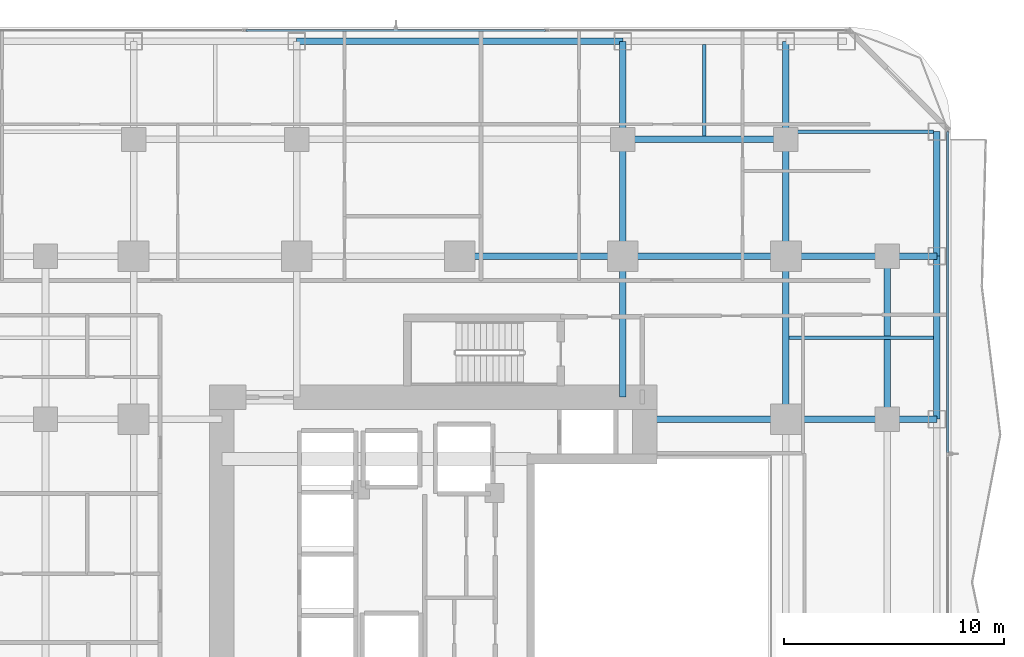
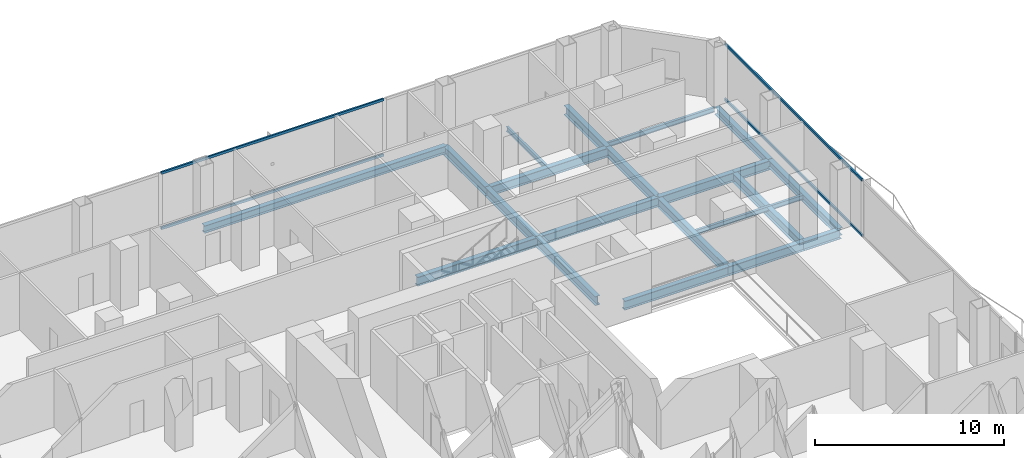
# One storey, part 16 of 30: 21 beams, 4 members, 2 elements without a shape of their own.
"""IFC4 building model written with IfcOpenShell, lengths in metres."""

import ifcopenshell
import ifcopenshell.guid

model = None  # the IFC model being written
_history = None  # IfcOwnerHistory: only IFC2X3 demands one
_inside = {}  # id of a spatial element -> (the spatial element, [elements in it])
_under = {}  # id of a project, library or spatial element -> (it, [spatial elements below it])
_declared = {}  # id of a project -> (the project, [libraries it declares])
_typed = {}  # id of a type object -> (the type object, [elements of that type])
_made_of = {}  # id of a material, layer set ... -> (it, [elements and type objects made of it])


def new_model(schema):
    """Start an empty IFC model of exactly this schema.

    Asked for "IFC4X3", IfcOpenShell would pick the latest addendum, in which some entities
    have other attributes; the version numbers below select the first issue.
    IFC2X3 requires an IfcOwnerHistory on every rooted entity: one is made here for all.
    """
    global model, _history
    if schema == "IFC4X3":
        model = ifcopenshell.file(schema_version=(4, 3, 0, 0))
    else:
        model = ifcopenshell.file(schema=schema)
    _inside.clear()
    _under.clear()
    _declared.clear()
    _typed.clear()
    _made_of.clear()
    _history = None
    if model.schema == "IFC2X3":
        org = make("IfcOrganization", Name="unknown")
        user = make(
            "IfcPersonAndOrganization",
            ThePerson=make("IfcPerson", FamilyName="unknown"),
            TheOrganization=org,
        )
        app = make(
            "IfcApplication",
            ApplicationDeveloper=org,
            Version="unknown",
            ApplicationFullName="unknown",
            ApplicationIdentifier="unknown",
        )
        _history = make(
            "IfcOwnerHistory",
            OwningUser=user,
            OwningApplication=app,
            ChangeAction="ADDED",
            CreationDate=0,
        )
    return model


def make(cls, **values):
    """One entity of the class cls with the attributes given. An attribute that is None is left unset."""
    return model.create_entity(
        cls, **{name: value for name, value in values.items() if value is not None}
    )


def rooted(cls, **values):
    """An entity with a GlobalId (a new one), such as an element, a storey or a relation."""
    return make(cls, GlobalId=ifcopenshell.guid.new(), OwnerHistory=_history, **values)


def si_unit(unit_type, name, prefix=None):
    """IfcSIUnit, for example si_unit("LENGTHUNIT", "METRE", prefix="MILLI")."""
    return make("IfcSIUnit", UnitType=unit_type, Prefix=prefix, Name=name)


def assignment(units):
    """IfcUnitAssignment: the units of a project."""
    return None if units is None else make("IfcUnitAssignment", Units=units)


def point(xyz):
    """IfcCartesianPoint."""
    return None if xyz is None else make("IfcCartesianPoint", Coordinates=xyz)


def direction(xyz):
    """IfcDirection."""
    return None if xyz is None else make("IfcDirection", DirectionRatios=xyz)


def frame(location, z_axis=None, x_axis=None):
    """IfcAxis2Placement3D, a coordinate frame: its origin and axes. An axis left out is left unset."""
    return make(
        "IfcAxis2Placement3D",
        Location=point(location),
        Axis=direction(z_axis),
        RefDirection=direction(x_axis),
    )


def frame_2d(location, x_axis=None):
    """IfcAxis2Placement2D, a coordinate frame in the plane: its origin and x axis."""
    return make(
        "IfcAxis2Placement2D", Location=point(location), RefDirection=direction(x_axis)
    )


def origin():
    """The frame at (0, 0, 0) with its axes left unset."""
    return frame((0.0, 0.0, 0.0))


def origin_2d():
    """The frame at (0, 0) in the plane with its x axis left unset."""
    return frame_2d((0.0, 0.0))


def place(relative_to, where):
    """IfcLocalPlacement: puts the frame where relative to a parent placement (None: the world)."""
    return make(
        "IfcLocalPlacement", PlacementRelTo=relative_to, RelativePlacement=where
    )


def context(
    kind, dimensions, precision=None, world=None, true_north=None, identifier=None
):
    """IfcGeometricRepresentationContext, for example the 3D "Model" context."""
    return make(
        "IfcGeometricRepresentationContext",
        ContextIdentifier=identifier,
        ContextType=kind,
        CoordinateSpaceDimension=dimensions,
        Precision=precision,
        WorldCoordinateSystem=world,
        TrueNorth=true_north,
    )


def subcontext(parent, identifier, kind, view, scale=None):
    """IfcGeometricRepresentationSubContext, for example "Body" below "Model"."""
    return make(
        "IfcGeometricRepresentationSubContext",
        ContextIdentifier=identifier,
        ContextType=kind,
        ParentContext=parent,
        TargetScale=scale,
        TargetView=view,
    )


def project(units=None, contexts=None):
    """IfcProject with its units and contexts."""
    return rooted(
        "IfcProject",
        Name="project",
        RepresentationContexts=contexts,
        UnitsInContext=assignment(units),
    )


def spatial(cls, under=None, at=None, **own):
    """A site, building, storey or space (cls), placed at a placement, below another one or the project."""
    s = rooted(cls, ObjectPlacement=at, **own)
    if under is not None:
        _under.setdefault(under.id(), (under, []))[1].append(s)
    return s


def profile(cls, at=None, kind="AREA", **sizes):
    """A parametric profile (cls). Its sizes go by their IFC names, for example OverallWidth=200.0."""
    return make(cls, ProfileType=kind, Position=at, **sizes)


def hollow_rectangle(**sizes):
    """IfcRectangleHollowProfileDef."""
    return profile("IfcRectangleHollowProfileDef", **sizes)


def i_section(**sizes):
    """IfcIShapeProfileDef."""
    return profile("IfcIShapeProfileDef", **sizes)


def extrude(swept, where, along, depth):
    """IfcExtrudedAreaSolid: the profile swept, set in the frame where, extruded along a direction by depth."""
    return make(
        "IfcExtrudedAreaSolid",
        SweptArea=swept,
        Position=where,
        ExtrudedDirection=direction(along),
        Depth=depth,
    )


def shape(context_of_items, identifier, shape_type, items):
    """IfcShapeRepresentation: the items that make up one representation, for example the "Body"."""
    return make(
        "IfcShapeRepresentation",
        ContextOfItems=context_of_items,
        RepresentationIdentifier=identifier,
        RepresentationType=shape_type,
        Items=items,
    )


def material(Name=None, Category=None):
    """IfcMaterial."""
    return make("IfcMaterial", Name=Name, Category=Category)


def layer(
    of_material, thickness, ventilated=None, Name=None, Category=None, Priority=None
):
    """IfcMaterialLayer: one layer of a wall or slab, of a material (None: an air gap)."""
    return make(
        "IfcMaterialLayer",
        Material=of_material,
        LayerThickness=thickness,
        IsVentilated=ventilated,
        Name=Name,
        Category=Category,
        Priority=Priority,
    )


def layer_set(layers, Name=None):
    """IfcMaterialLayerSet."""
    return make("IfcMaterialLayerSet", MaterialLayers=layers, LayerSetName=Name)


def material_profile(
    of_material, cross_section, Name=None, Category=None, Priority=None
):
    """IfcMaterialProfile: a cross section and its material."""
    return make(
        "IfcMaterialProfile",
        Name=Name,
        Material=of_material,
        Profile=cross_section,
        Priority=Priority,
        Category=Category,
    )


def profile_set(profiles, Name=None, composite=None):
    """IfcMaterialProfileSet."""
    return make(
        "IfcMaterialProfileSet",
        Name=Name,
        MaterialProfiles=profiles,
        CompositeProfile=composite,
    )


def made_of(thing, what):
    """Note that an element or type object is made of a material, layer set ...; save() writes the relation."""
    if what is not None:
        _made_of.setdefault(what.id(), (what, []))[1].append(thing)
    return thing


def type_object(cls, material=None, **own):
    """A type object (cls), such as IfcWallType, which elements share."""
    return made_of(rooted(cls, **own), material)


def element(
    cls,
    number,
    at=None,
    inside=None,
    cuts=None,
    type_object=None,
    material=None,
    context=None,
    identifier="Body",
    shape_type=None,
    held_by="IfcProductDefinitionShape",
    body=None,
    shapes=None,
    **own,
):
    """One element of the class cls, such as IfcWall. Its Tag is "e" and its number.

    at: its placement. inside: the storey or other place that contains it. cuts: it is an
    opening in that element (IfcRelVoidsElement). A single representation is given by context,
    identifier, shape_type and body (its items); several are given by shapes. held_by: the class
    of the entity that holds the representations. save() writes the other relations.
    """
    e = rooted(cls, Tag="e%d" % number, ObjectPlacement=at, **own)
    if body is not None:
        shapes = [shape(context, identifier, shape_type, body)]
    if shapes is not None:
        e.Representation = make(held_by, Representations=shapes)
    if inside is not None:
        _inside.setdefault(inside.id(), (inside, []))[1].append(e)
    if cuts is not None:
        rooted(
            "IfcRelVoidsElement", RelatingBuildingElement=cuts, RelatedOpeningElement=e
        )
    if type_object is not None:
        _typed.setdefault(type_object.id(), (type_object, []))[1].append(e)
    return made_of(e, material)


def aggregate(whole, parts):
    """IfcRelAggregates: a whole, such as a stair, and the parts it consists of."""
    return rooted("IfcRelAggregates", RelatingObject=whole, RelatedObjects=parts)


def save(model, path):
    """Write the relations noted so far, then the file.

    IfcRelAggregates (storeys below a building ...), IfcRelContainedInSpatialStructure (elements
    in a storey), IfcRelDefinesByType, IfcRelAssociatesMaterial and IfcRelDeclares: one each for
    every whole, place, type object, material and project.
    """
    for whole, parts in _under.values():
        aggregate(whole, parts)
    for where, things in _inside.values():
        rooted(
            "IfcRelContainedInSpatialStructure",
            RelatedElements=things,
            RelatingStructure=where,
        )
    for kind, things in _typed.values():
        rooted("IfcRelDefinesByType", RelatedObjects=things, RelatingType=kind)
    for what, things in _made_of.values():
        rooted("IfcRelAssociatesMaterial", RelatedObjects=things, RelatingMaterial=what)
    for by, libraries in _declared.values():
        rooted("IfcRelDeclares", RelatingContext=by, RelatedDefinitions=libraries)
    model.write(path)


model = new_model("IFC4")

# Units and contexts
model_context = context("Model", 3, precision=1e-05, world=origin(), true_north=direction((0.0, 1.0)))
body_context = subcontext(model_context, "Body", "Model", "MODEL_VIEW")
ifc_project = project(units=[si_unit("LENGTHUNIT", "METRE"), si_unit("AREAUNIT", "SQUARE_METRE"), si_unit("VOLUMEUNIT", "CUBIC_METRE"), si_unit("PLANEANGLEUNIT", "RADIAN"), si_unit("MASSUNIT", "GRAM", prefix="KILO")], contexts=[model_context])

# Site, building, storey
site_placement = place(None, origin())
site = spatial("IfcSite", under=ifc_project, at=site_placement, CompositionType="ELEMENT")
building_placement = place(site_placement, origin())
building = spatial("IfcBuilding", under=site, at=building_placement, Name="Khorvyn Point Tower", CompositionType="ELEMENT")
storey_placement = place(building_placement, frame((0.0, 0.0, 57.89990234375)))
storey = spatial("IfcBuildingStorey", under=building, at=storey_placement, Name="L15", CompositionType="ELEMENT", Elevation=57.89990234375)

# Curtain wall, members
ifc_material_1 = material(Name="Anodised aluminium 6063-T6 and laminated Low-E glass", Category="aluminium")
ifc_layer = layer(ifc_material_1, 0.18994140625)
ifc_layer_set = layer_set([ifc_layer], Name="Stick-Built Finned Residential Curtain Wall CW-SYS-02")
curtain_wall_type = type_object("IfcCurtainWallType", Name="Stick-Built Finned Residential Curtain Wall CW-SYS-02", PredefinedType="NOTDEFINED", material=ifc_layer_set)
curtain_wall_1_placement = place(storey_placement, origin())
curtain_wall_1 = element("IfcCurtainWall", 1, at=curtain_wall_1_placement, inside=storey, type_object=curtain_wall_type, Name="Curtain Wall", PredefinedType="NOTDEFINED")
ifc_material_2 = material(Name="Anodised aluminium 6063-T6", Category="aluminium")
ifc_material_profile_1 = material_profile(ifc_material_2, hollow_rectangle(XDim=0.10009765625, YDim=0.159912109375, WallThickness=0.00439453125, at=origin_2d()))
ifc_profile_set_1 = profile_set([ifc_material_profile_1], Name="Anodised aluminium 6063-T6 ALU-TRN-100x160")
member_type = type_object("IfcMemberType", Name="Anodised Aluminium 6063-T6 Transom ALU-TRN-100x160", PredefinedType="USERDEFINED", material=ifc_profile_set_1)
member_1_placement = place(storey_placement, frame((-9.699951171875, 25.050048828125, 0.050048828125), z_axis=(1.0, 0.0, 0.0), x_axis=(0.0, 1.0, 0.0)))
member_1 = element("IfcMember", 2, at=member_1_placement, type_object=member_type, Name="Transom", ObjectType="TRANSOM", PredefinedType="USERDEFINED", context=body_context, shape_type="SweptSolid", body=[
    extrude(hollow_rectangle(XDim=0.10009765625, YDim=0.159912109375, WallThickness=0.00439453125, at=origin_2d()), origin(), (0.0, 0.0, 1.0), 13.599853515625),
])
member_2_placement = place(storey_placement, frame((-9.699951171875, 25.050048828125, 3.630126953125), z_axis=(1.0, 0.0, 0.0), x_axis=(0.0, 1.0, 0.0)))
member_2 = element("IfcMember", 3, at=member_2_placement, type_object=member_type, Name="Transom", ObjectType="TRANSOM", PredefinedType="USERDEFINED", context=body_context, shape_type="SweptSolid", body=[
    extrude(hollow_rectangle(XDim=0.10009765625, YDim=0.159912109375, WallThickness=0.00439453125, at=origin_2d()), origin(), (0.0, 0.0, 1.0), 13.599853515625),
])
aggregate(curtain_wall_1, [member_1, member_2])

curtain_wall_2_placement = place(storey_placement, origin())
curtain_wall_2 = element("IfcCurtainWall", 4, at=curtain_wall_2_placement, inside=storey, type_object=curtain_wall_type, Name="Curtain Wall", PredefinedType="NOTDEFINED")
member_3_placement = place(storey_placement, frame((22.14990234375, 20.449951171875, 0.050048828125), z_axis=(0.0, -1.0, 0.0), x_axis=(1.0, 0.0, 0.0)))
member_3 = element("IfcMember", 5, at=member_3_placement, type_object=member_type, Name="Transom", ObjectType="TRANSOM", PredefinedType="USERDEFINED", context=body_context, shape_type="SweptSolid", body=[
    extrude(hollow_rectangle(XDim=0.10009765625, YDim=0.159912109375, WallThickness=0.00439453125, at=origin_2d()), origin(), (0.0, 0.0, 1.0), 14.5673828125),
])
member_4_placement = place(storey_placement, frame((22.14990234375, 20.449951171875, 3.630126953125), z_axis=(0.0, -1.0, 0.0), x_axis=(1.0, 0.0, 0.0)))
member_4 = element("IfcMember", 6, at=member_4_placement, type_object=member_type, Name="Transom", ObjectType="TRANSOM", PredefinedType="USERDEFINED", context=body_context, shape_type="SweptSolid", body=[
    extrude(hollow_rectangle(XDim=0.10009765625, YDim=0.159912109375, WallThickness=0.00439453125, at=origin_2d()), origin(), (0.0, 0.0, 1.0), 14.5673828125),
])
aggregate(curtain_wall_2, [member_3, member_4])

# Beams
ifc_material_3 = material(Name="Steel S355", Category="steel")
ifc_material_profile_2 = material_profile(ifc_material_3, i_section(OverallWidth=0.300048828125, OverallDepth=0.587890625, WebThickness=0.011962890625, FlangeThickness=0.02001953125, at=origin_2d()))
ifc_profile_set_2 = profile_set([ifc_material_profile_2], Name="Steel S355 H588x300x12x20")
beam_type_1 = type_object("IfcBeamType", Name="Steel S355 Beam H588x300x12x20", PredefinedType="BEAM", material=ifc_profile_set_2)
beam_1_placement = place(storey_placement, frame((0.0, 14.800048828125, -0.513916015625), z_axis=(1.0, 0.0, 0.0), x_axis=(0.0, 1.0, 0.0)))
element("IfcBeam", 7, at=beam_1_placement, inside=storey, type_object=beam_type_1, Name="Beam", PredefinedType="BEAM", context=body_context, shape_type="SweptSolid", body=[
    extrude(i_section(OverallWidth=0.300048828125, OverallDepth=0.587890625, WebThickness=0.011962890625, FlangeThickness=0.02001953125, at=origin_2d()), origin(), (0.0, 0.0, 1.0), 7.39990234375),
])
beam_2_placement = place(storey_placement, frame((7.39990234375, 14.800048828125, -0.513916015625), z_axis=(1.0, 0.0, 0.0), x_axis=(0.0, 1.0, 0.0)))
element("IfcBeam", 8, at=beam_2_placement, inside=storey, type_object=beam_type_1, Name="Beam", PredefinedType="BEAM", context=body_context, shape_type="SweptSolid", body=[
    extrude(i_section(OverallWidth=0.300048828125, OverallDepth=0.587890625, WebThickness=0.011962890625, FlangeThickness=0.02001953125, at=origin_2d()), origin(), (0.0, 0.0, 1.0), 7.400146484375),
])
beam_3_placement = place(storey_placement, frame((14.800048828125, 14.800048828125, -0.513916015625), z_axis=(1.0, 0.0, 0.0), x_axis=(0.0, 1.0, 0.0)))
element("IfcBeam", 9, at=beam_3_placement, inside=storey, type_object=beam_type_1, Name="Beam", PredefinedType="BEAM", context=body_context, shape_type="SweptSolid", body=[
    extrude(i_section(OverallWidth=0.300048828125, OverallDepth=0.587890625, WebThickness=0.011962890625, FlangeThickness=0.02001953125, at=origin_2d()), origin(), (0.0, 0.0, 1.0), 4.599853515625),
])
beam_4_placement = place(storey_placement, frame((19.39990234375, 14.800048828125, -0.513916015625), z_axis=(1.0, 0.0, 0.0), x_axis=(0.0, 1.0, 0.0)))
element("IfcBeam", 10, at=beam_4_placement, inside=storey, type_object=beam_type_1, Name="Beam", PredefinedType="BEAM", context=body_context, shape_type="SweptSolid", body=[
    extrude(i_section(OverallWidth=0.300048828125, OverallDepth=0.587890625, WebThickness=0.011962890625, FlangeThickness=0.02001953125, at=origin_2d()), origin(), (0.0, 0.0, 1.0), 2.25),
])
beam_5_placement = place(storey_placement, frame((8.39990234375, 7.39990234375, -0.513916015625), z_axis=(1.0, 0.0, 0.0), x_axis=(0.0, 1.0, 0.0)))
element("IfcBeam", 11, at=beam_5_placement, inside=storey, type_object=beam_type_1, Name="Beam", PredefinedType="BEAM", context=body_context, shape_type="SweptSolid", body=[
    extrude(i_section(OverallWidth=0.300048828125, OverallDepth=0.587890625, WebThickness=0.011962890625, FlangeThickness=0.02001953125, at=origin_2d()), origin(), (0.0, 0.0, 1.0), 6.400146484375),
])
beam_6_placement = place(storey_placement, frame((14.800048828125, 7.39990234375, -0.513916015625), z_axis=(1.0, 0.0, 0.0), x_axis=(0.0, 1.0, 0.0)))
element("IfcBeam", 12, at=beam_6_placement, inside=storey, type_object=beam_type_1, Name="Beam", PredefinedType="BEAM", context=body_context, shape_type="SweptSolid", body=[
    extrude(i_section(OverallWidth=0.300048828125, OverallDepth=0.587890625, WebThickness=0.011962890625, FlangeThickness=0.02001953125, at=origin_2d()), origin(), (0.0, 0.0, 1.0), 4.599853515625),
])
beam_7_placement = place(storey_placement, frame((19.39990234375, 7.39990234375, -0.513916015625), z_axis=(1.0, 0.0, 0.0), x_axis=(0.0, 1.0, 0.0)))
element("IfcBeam", 13, at=beam_7_placement, inside=storey, type_object=beam_type_1, Name="Beam", PredefinedType="BEAM", context=body_context, shape_type="SweptSolid", body=[
    extrude(i_section(OverallWidth=0.300048828125, OverallDepth=0.587890625, WebThickness=0.011962890625, FlangeThickness=0.02001953125, at=origin_2d()), origin(), (0.0, 0.0, 1.0), 2.25),
])
for number, where, z_axis, x_axis, name in (
    (14, (7.39990234375, 20.10009765625, -0.513916015625), (1.0, 0.0, 0.0), (0.0, 1.0, 0.0), "Beam"),
    (15, (14.800048828125, 7.39990234375, -0.513916015625), (0.0, 1.0, 0.0), (-1.0, 0.0, 0.0), "Beam"),
):
    element("IfcBeam", number, at=place(storey_placement, frame(where, z_axis=z_axis, x_axis=x_axis)), inside=storey, type_object=beam_type_1, Name=name, PredefinedType="BEAM", context=body_context, shape_type="SweptSolid", body=[
        extrude(i_section(OverallWidth=0.300048828125, OverallDepth=0.587890625, WebThickness=0.011962890625, FlangeThickness=0.02001953125, at=origin_2d()), origin(), (0.0, 0.0, 1.0), 7.400146484375),
    ])
beam_8_placement = place(storey_placement, frame((14.800048828125, 14.800048828125, -0.513916015625), z_axis=(0.0, 1.0, 0.0), x_axis=(-1.0, 0.0, 0.0)))
element("IfcBeam", 16, at=beam_8_placement, inside=storey, type_object=beam_type_1, Name="Beam", PredefinedType="BEAM", context=body_context, shape_type="SweptSolid", body=[
    extrude(i_section(OverallWidth=0.300048828125, OverallDepth=0.587890625, WebThickness=0.011962890625, FlangeThickness=0.02001953125, at=origin_2d()), origin(), (0.0, 0.0, 1.0), 5.300048828125),
])
beam_9_placement = place(storey_placement, frame((14.800048828125, 20.10009765625, -0.513916015625), z_axis=(0.0, 1.0, 0.0), x_axis=(-1.0, 0.0, 0.0)))
element("IfcBeam", 17, at=beam_9_placement, inside=storey, type_object=beam_type_1, Name="Beam", PredefinedType="BEAM", context=body_context, shape_type="SweptSolid", body=[
    extrude(i_section(OverallWidth=0.300048828125, OverallDepth=0.587890625, WebThickness=0.011962890625, FlangeThickness=0.02001953125, at=origin_2d()), origin(), (0.0, 0.0, 1.0), 4.449951171875),
])
beam_10_placement = place(storey_placement, frame((7.39990234375, 8.39990234375, -0.513916015625), z_axis=(0.0, 1.0, 0.0), x_axis=(-1.0, 0.0, 0.0)))
element("IfcBeam", 18, at=beam_10_placement, inside=storey, type_object=beam_type_1, Name="Beam", PredefinedType="BEAM", context=body_context, shape_type="SweptSolid", body=[
    extrude(i_section(OverallWidth=0.300048828125, OverallDepth=0.587890625, WebThickness=0.011962890625, FlangeThickness=0.02001953125, at=origin_2d()), origin(), (0.0, 0.0, 1.0), 6.400146484375),
])
beam_11_placement = place(storey_placement, frame((7.39990234375, 14.800048828125, -0.513916015625), z_axis=(0.0, 1.0, 0.0), x_axis=(-1.0, 0.0, 0.0)))
element("IfcBeam", 19, at=beam_11_placement, inside=storey, type_object=beam_type_1, Name="Beam", PredefinedType="BEAM", context=body_context, shape_type="SweptSolid", body=[
    extrude(i_section(OverallWidth=0.300048828125, OverallDepth=0.587890625, WebThickness=0.011962890625, FlangeThickness=0.02001953125, at=origin_2d()), origin(), (0.0, 0.0, 1.0), 5.300048828125),
])
beam_12_placement = place(storey_placement, frame((7.39990234375, 20.10009765625, -0.513916015625), z_axis=(0.0, 1.0, 0.0), x_axis=(-1.0, 0.0, 0.0)))
element("IfcBeam", 20, at=beam_12_placement, inside=storey, type_object=beam_type_1, Name="Beam", PredefinedType="BEAM", context=body_context, shape_type="SweptSolid", body=[
    extrude(i_section(OverallWidth=0.300048828125, OverallDepth=0.587890625, WebThickness=0.011962890625, FlangeThickness=0.02001953125, at=origin_2d()), origin(), (0.0, 0.0, 1.0), 4.449951171875),
])
beam_13_placement = place(storey_placement, frame((19.39990234375, 7.39990234375, -0.513916015625), z_axis=(0.0, 1.0, 0.0), x_axis=(-1.0, 0.0, 0.0)))
element("IfcBeam", 21, at=beam_13_placement, inside=storey, type_object=beam_type_1, Name="Beam", PredefinedType="BEAM", context=body_context, shape_type="SweptSolid", body=[
    extrude(i_section(OverallWidth=0.300048828125, OverallDepth=0.587890625, WebThickness=0.011962890625, FlangeThickness=0.02001953125, at=origin_2d()), origin(), (0.0, 0.0, 1.0), 7.400146484375),
])
ifc_material_profile_3 = material_profile(ifc_material_3, i_section(OverallWidth=0.14990234375, OverallDepth=0.300048828125, WebThickness=0.006591796875, FlangeThickness=0.009033203125, at=origin_2d()))
ifc_profile_set_3 = profile_set([ifc_material_profile_3], Name="Steel S355 H300x150x6.5x9")
beam_type_2 = type_object("IfcBeamType", Name="Steel S355 Joist H300x150x6.5x9", PredefinedType="JOIST", material=ifc_profile_set_3)
beam_14_placement = place(storey_placement, frame((14.949951171875, 11.10009765625, -0.369873046875), z_axis=(1.0, 0.0, 0.0), x_axis=(0.0, 1.0, 0.0)))
element("IfcBeam", 22, at=beam_14_placement, inside=storey, type_object=beam_type_2, Name="Beam", PredefinedType="JOIST", context=body_context, shape_type="SweptSolid", body=[
    extrude(i_section(OverallWidth=0.14990234375, OverallDepth=0.300048828125, WebThickness=0.006591796875, FlangeThickness=0.009033203125, at=origin_2d()), origin(), (0.0, 0.0, 1.0), 6.550048828125),
])
beam_15_placement = place(storey_placement, frame((11.10009765625, 20.25, -0.369873046875), z_axis=(0.0, 1.0, 0.0), x_axis=(-1.0, 0.0, 0.0)))
element("IfcBeam", 23, at=beam_15_placement, inside=storey, type_object=beam_type_2, Name="Beam", PredefinedType="JOIST", context=body_context, shape_type="SweptSolid", body=[
    extrude(i_section(OverallWidth=0.14990234375, OverallDepth=0.300048828125, WebThickness=0.006591796875, FlangeThickness=0.009033203125, at=origin_2d()), origin(), (0.0, 0.0, 1.0), 4.14990234375),
])
beam_16_placement = place(storey_placement, frame((14.949951171875, 20.449951171875, -0.369873046875), z_axis=(1.0, 0.0, 0.0), x_axis=(0.0, 1.0, 0.0)))
element("IfcBeam", 24, at=beam_16_placement, inside=storey, type_object=beam_type_2, Name="Beam", PredefinedType="JOIST", context=body_context, shape_type="SweptSolid", body=[
    extrude(i_section(OverallWidth=0.14990234375, OverallDepth=0.300048828125, WebThickness=0.006591796875, FlangeThickness=0.009033203125, at=origin_2d()), origin(), (0.0, 0.0, 1.0), 6.550048828125),
])
ifc_material_profile_4 = material_profile(ifc_material_3, i_section(OverallWidth=0.300048828125, OverallDepth=0.488037109375, WebThickness=0.010986328125, FlangeThickness=0.01806640625, at=origin_2d()))
ifc_profile_set_4 = profile_set([ifc_material_profile_4], Name="Steel S355 H488x300x11x18")
beam_type_3 = type_object("IfcBeamType", Name="Steel S355 Spandrel H488x300x11x18", PredefinedType="SPANDREL", material=ifc_profile_set_4)
beam_17_placement = place(storey_placement, frame((-7.39990234375, 24.550048828125, -0.4638671875), z_axis=(1.0, 0.0, 0.0), x_axis=(0.0, 1.0, 0.0)))
element("IfcBeam", 25, at=beam_17_placement, inside=storey, type_object=beam_type_3, Name="Beam", PredefinedType="SPANDREL", context=body_context, shape_type="SweptSolid", body=[
    extrude(i_section(OverallWidth=0.300048828125, OverallDepth=0.488037109375, WebThickness=0.010986328125, FlangeThickness=0.01806640625, at=origin_2d()), origin(), (0.0, 0.0, 1.0), 14.7998046875),
])
beam_18_placement = place(storey_placement, frame((21.64990234375, 7.39990234375, -0.4638671875), z_axis=(0.0, 1.0, 0.0), x_axis=(-1.0, 0.0, 0.0)))
element("IfcBeam", 26, at=beam_18_placement, inside=storey, type_object=beam_type_3, Name="Beam", PredefinedType="SPANDREL", context=body_context, shape_type="SweptSolid", body=[
    extrude(i_section(OverallWidth=0.300048828125, OverallDepth=0.488037109375, WebThickness=0.010986328125, FlangeThickness=0.01806640625, at=origin_2d()), origin(), (0.0, 0.0, 1.0), 7.400146484375),
])
beam_19_placement = place(storey_placement, frame((21.64990234375, 14.800048828125, -0.4638671875), z_axis=(0.0, 1.0, 0.0), x_axis=(-1.0, 0.0, 0.0)))
element("IfcBeam", 27, at=beam_19_placement, inside=storey, type_object=beam_type_3, Name="Beam", PredefinedType="SPANDREL", context=body_context, shape_type="SweptSolid", body=[
    extrude(i_section(OverallWidth=0.300048828125, OverallDepth=0.488037109375, WebThickness=0.010986328125, FlangeThickness=0.01806640625, at=origin_2d()), origin(), (0.0, 0.0, 1.0), 5.64990234375),
])

save(model, "model.ifc")
